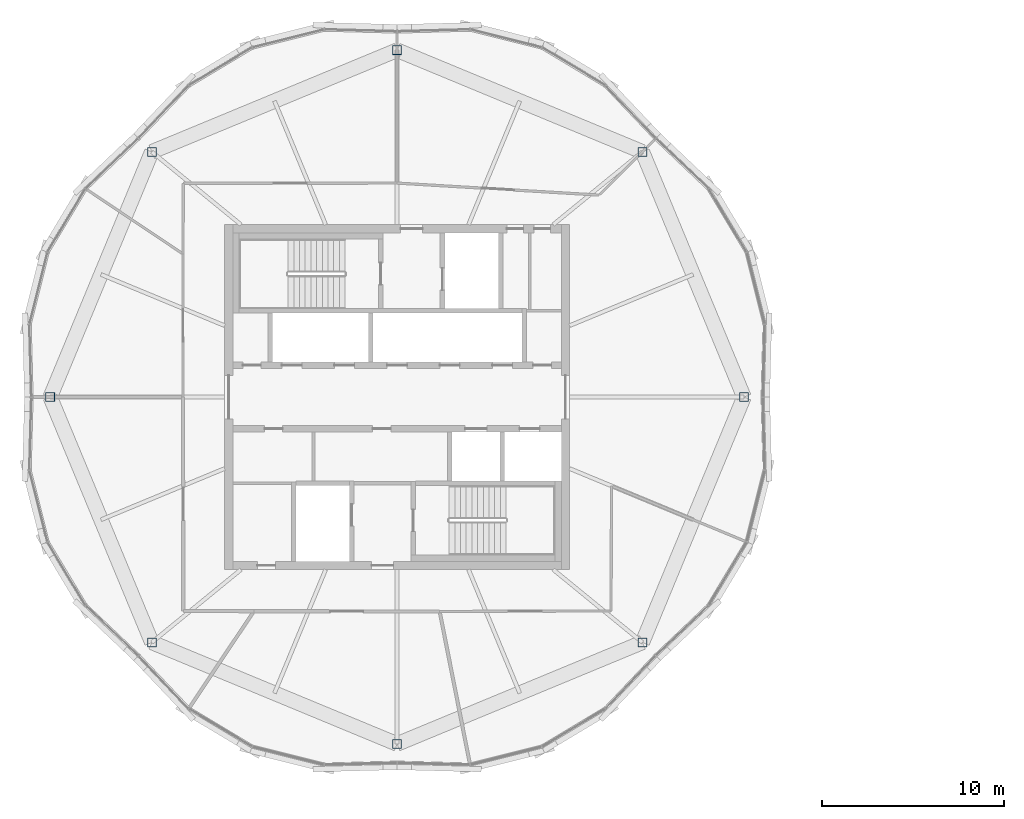
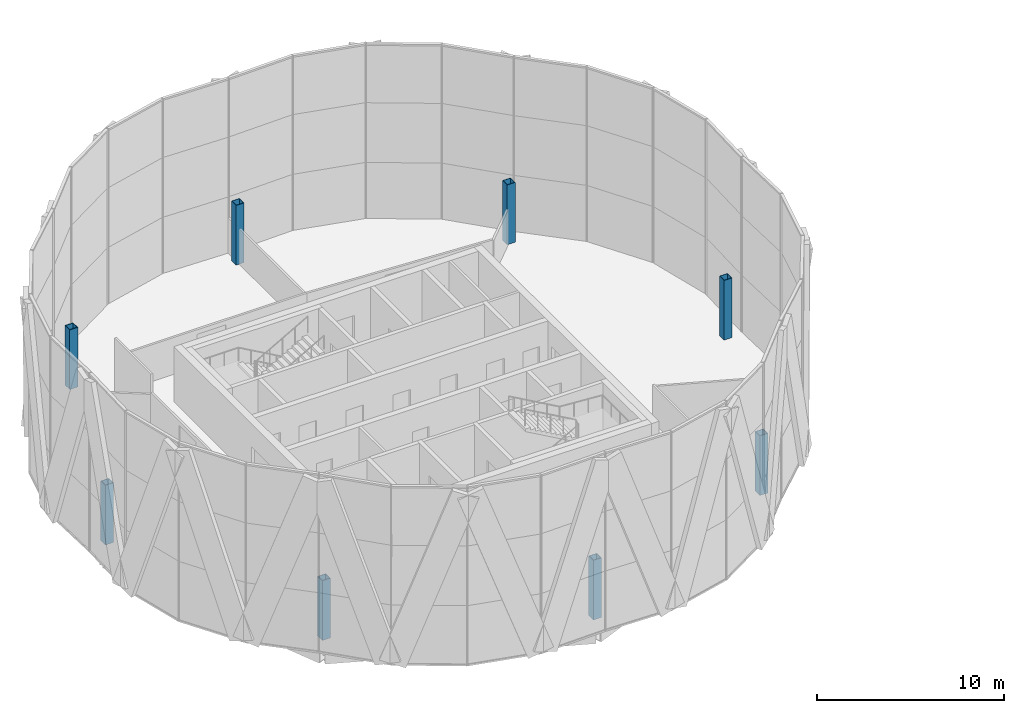
# One storey, part 1 of 22: 8 columns.
"""IFC4 building model written with IfcOpenShell, lengths in metres."""

from ifc_helpers import new_model, si_unit, direction, frame, origin, origin_2d, place, context, subcontext, project, spatial, hollow_rectangle, extrude, material, material_profile, profile_set, type_object, element, save


model = new_model("IFC4")

# Units and contexts
model_context = context("Model", 3, precision=1e-05, world=origin(), true_north=direction((0.0, 1.0)))
body_context = subcontext(model_context, "Body", "Model", "MODEL_VIEW")
ifc_project = project(units=[si_unit("LENGTHUNIT", "METRE"), si_unit("AREAUNIT", "SQUARE_METRE"), si_unit("VOLUMEUNIT", "CUBIC_METRE"), si_unit("PLANEANGLEUNIT", "RADIAN"), si_unit("MASSUNIT", "GRAM", prefix="KILO")], contexts=[model_context])

# Site, building, storey
site_placement = place(None, origin())
site = spatial("IfcSite", under=ifc_project, at=site_placement, CompositionType="ELEMENT")
building_placement = place(site_placement, origin())
building = spatial("IfcBuilding", under=site, at=building_placement, Name="Ogive Gate Towers", CompositionType="ELEMENT")
storey_placement = place(building_placement, frame((0.0, 0.0, 228.89990234375)))
storey = spatial("IfcBuildingStorey", under=building, at=storey_placement, Name="L54", CompositionType="ELEMENT", Elevation=228.89990234375)

# Columns
ifc_material = material(Name="Steel SM460", Category="steel")
ifc_material_profile = material_profile(ifc_material, hollow_rectangle(XDim=0.5, YDim=0.5, WallThickness=0.030029296875, at=origin_2d()), Name="BX 500x500x30")
ifc_profile_set = profile_set([ifc_material_profile], Name="Steel SM460")
column_type = type_object("IfcColumnType", Name="Perimeter post BX 500x500x30", PredefinedType="COLUMN", material=ifc_profile_set)
for number, where, z_axis, x_axis, name in (
    (1, (-16.889892578125, 0.0, 0.0), (0.0, 0.0, 1.0), (1.0, 0.0, 0.0), "T1/L54/SCL001"),
    (2, (-22.4873046875, 13.5126953125, 0.0), (0.0, 0.0, 1.0), (1.0, 0.0, 0.0), "T1/L54/SCL002"),
    (3, (-36.0, 19.110107421875, 0.0), (0.0, 0.0, 1.0), (1.0, 0.0, 0.0), "T1/L54/SCL003"),
    (4, (-49.5126953125, 13.5126953125, 0.0), (0.0, 0.0, 1.0), (1.0, 0.0, 0.0), "T1/L54/SCL004"),
    (5, (-55.110107421875, 0.0, 0.0), (0.0, 0.0, 1.0), (1.0, 0.0, 0.0), "T1/L54/SCL005"),
    (6, (-49.5126953125, -13.5126953125, 0.0), (0.0, 0.0, 1.0), (1.0, 0.0, 0.0), "T1/L54/SCL006"),
    (7, (-36.0, -19.110107421875, 0.0), (0.0, 0.0, 1.0), (1.0, 0.0, 0.0), "T1/L54/SCL007"),
    (8, (-22.4873046875, -13.5126953125, 0.0), (0.0, 0.0, 1.0), (1.0, 0.0, 0.0), "T1/L54/SCL008"),
):
    element("IfcColumn", number, at=place(storey_placement, frame(where, z_axis=z_axis, x_axis=x_axis)), inside=storey, type_object=column_type, Name=name, PredefinedType="COLUMN", context=body_context, shape_type="SweptSolid", body=[
        extrude(hollow_rectangle(XDim=0.5, YDim=0.5, WallThickness=0.030029296875, at=origin_2d()), origin(), (0.0, 0.0, 1.0), 3.900146484375),
    ])

save(model, "model.ifc")
